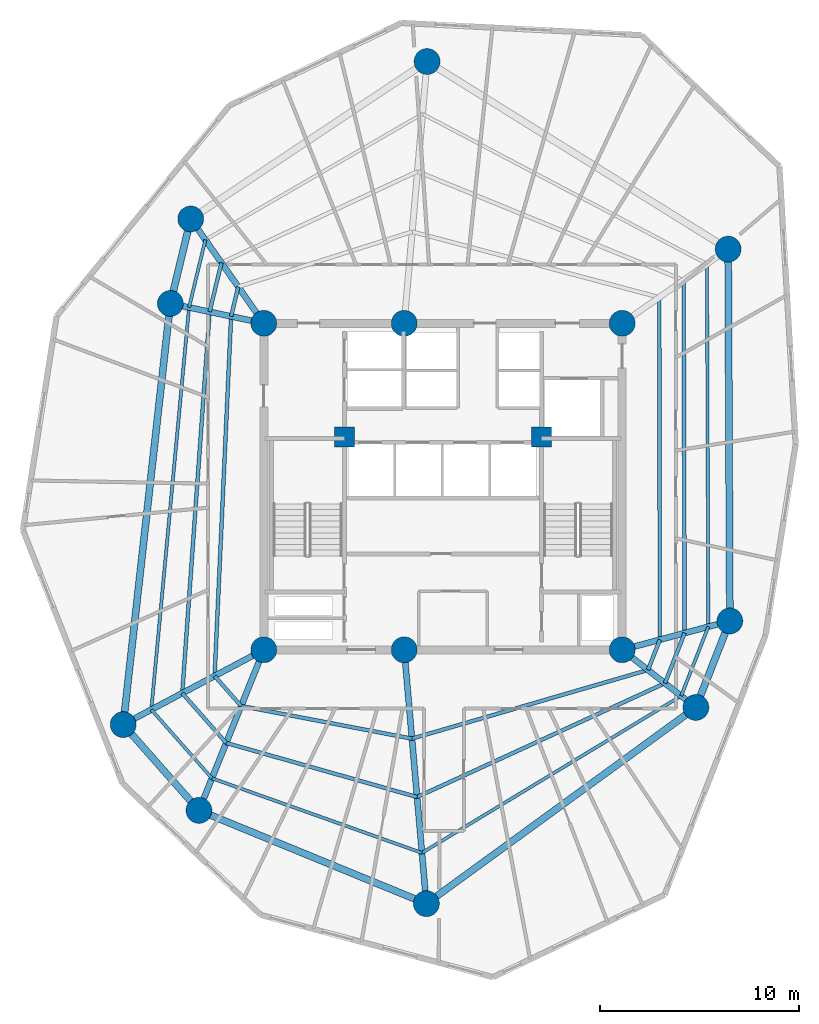
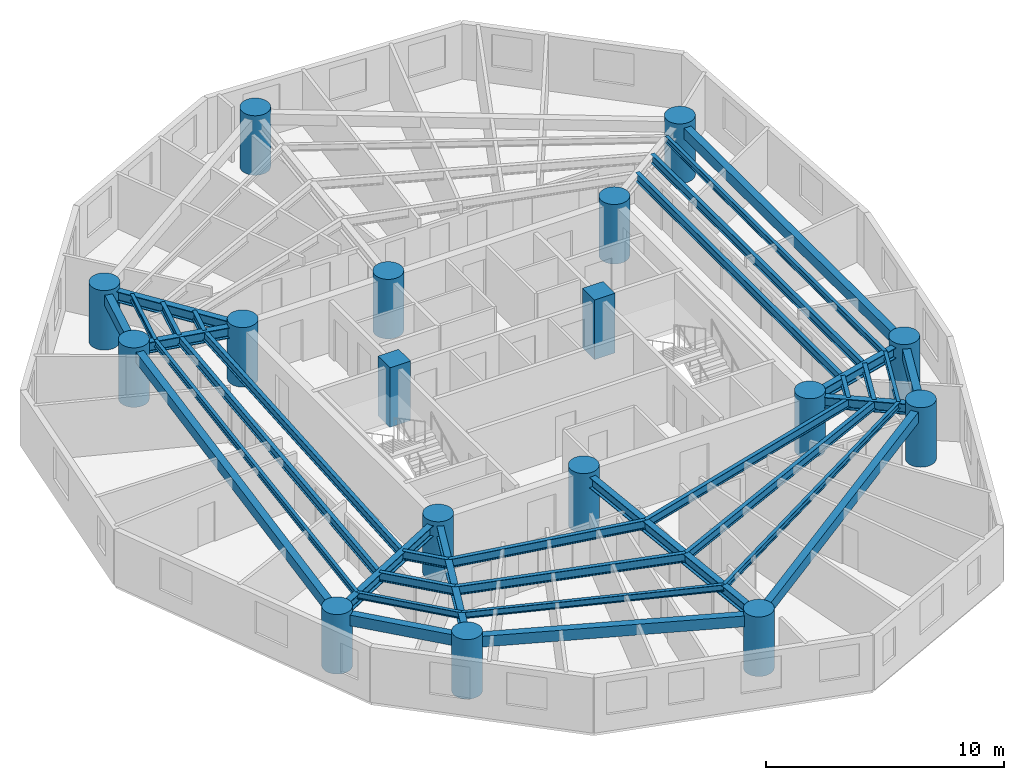
# One storey, part 1 of 8: 35 beams, 17 columns.
"""IFC4 building model written with IfcOpenShell, lengths in metres."""

from ifc_helpers import new_model, si_unit, direction, frame, origin, origin_with_axes, origin_2d, place, context, subcontext, project, spatial, rectangle, circle, i_section, extrude, source, transform, mapped, material, material_profile, profile_set, type_object, element, save


model = new_model("IFC4")

# Units and contexts
model_context = context("Model", 3, precision=1e-05, world=origin(), true_north=direction((0.0, 1.0)))
body_context = subcontext(model_context, "Body", "Model", "MODEL_VIEW")
ifc_project = project(units=[si_unit("LENGTHUNIT", "METRE"), si_unit("AREAUNIT", "SQUARE_METRE"), si_unit("VOLUMEUNIT", "CUBIC_METRE"), si_unit("PLANEANGLEUNIT", "RADIAN"), si_unit("MASSUNIT", "GRAM", prefix="KILO")], contexts=[model_context])

# Site, building, storey
site_placement = place(None, origin())
site = spatial("IfcSite", under=ifc_project, at=site_placement, CompositionType="ELEMENT")
building_placement = place(site_placement, origin())
building = spatial("IfcBuilding", under=site, at=building_placement, Name="Karkom Vertical University and Central Library", CompositionType="ELEMENT")
storey_placement = place(building_placement, frame((0.0, 0.0, 165.699951171875)))
storey = spatial("IfcBuildingStorey", under=building, at=storey_placement, Name="L47", CompositionType="ELEMENT", Elevation=165.699951171875)

# Columns
ifc_material_1 = material(Name="Concrete C50/60", Category="concrete")
ifc_material_profile_1 = material_profile(ifc_material_1, circle(Radius=0.64990234375, at=origin_2d()), Name="CFT-D1300")
ifc_profile_set_1 = profile_set([ifc_material_profile_1], Name="Concrete C50/60")
column_type_1 = type_object("IfcColumnType", Name="STR-COL-C-SC4", PredefinedType="COLUMN", material=ifc_profile_set_1)
shared_shape_1 = source(origin_with_axes(), body_context, "Body", "SweptSolid", [
    extrude(circle(Radius=0.64990234375, at=origin_2d()), origin(), (0.0, 0.0, 1.0), 3.050048828125),
])
for number, where, z_axis, x_axis, name in (
    (1, (19.5, 18.300048828125, 0.0), (0.0, 0.0, 1.0), (1.0, 0.0, 0.0), "Level 47 Spine Mega-Column SC-1"),
    (2, (26.550048828125, 18.300048828125, 0.0), (0.0, 0.0, 1.0), (1.0, 0.0, 0.0), "Level 47 Spine Mega-Column SC-2"),
    (3, (37.5, 18.300048828125, 0.0), (0.0, 0.0, 1.0), (1.0, 0.0, 0.0), "Level 47 Spine Mega-Column SC-3"),
    (4, (19.5, 34.699951171875, 0.0), (0.0, 0.0, 1.0), (1.0, 0.0, 0.0), "Level 47 Spine Mega-Column SC-4"),
    (5, (26.550048828125, 34.699951171875, 0.0), (0.0, 0.0, 1.0), (1.0, 0.0, 0.0), "Level 47 Spine Mega-Column SC-5"),
    (6, (37.5, 34.699951171875, 0.0), (0.0, 0.0, 1.0), (1.0, 0.0, 0.0), "Level 47 Spine Mega-Column SC-6"),
    (7, (42.908935546875, 19.7490234375, 0.0), (0.0, 0.0, 1.0), (1.0, 0.0, 0.0), "Level 47 Perimeter Mega-Column Z3-PC1"),
    (8, (42.823974609375, 38.427978515625, 0.0), (0.0, 0.0, 1.0), (1.0, 0.0, 0.0), "Level 47 Perimeter Mega-Column Z3-PC2"),
    (9, (27.699951171875, 47.85009765625, 0.0), (0.0, 0.0, 1.0), (1.0, 0.0, 0.0), "Level 47 Perimeter Mega-Column Z3-PC3"),
    (10, (15.8291015625, 39.943115234375, 0.0), (0.0, 0.0, 1.0), (1.0, 0.0, 0.0), "Level 47 Perimeter Mega-Column Z3-PC4"),
    (11, (14.804931640625, 35.697998046875, 0.0), (0.0, 0.0, 1.0), (1.0, 0.0, 0.0), "Level 47 Perimeter Mega-Column Z3-PC5"),
    (12, (12.43603515625, 14.5439453125, 0.0), (0.0, 0.0, 1.0), (1.0, 0.0, 0.0), "Level 47 Perimeter Mega-Column Z3-PC6"),
    (13, (16.240966796875, 10.23388671875, 0.0), (0.0, 0.0, 1.0), (1.0, 0.0, 0.0), "Level 47 Perimeter Mega-Column Z3-PC7"),
    (14, (27.666015625, 5.549072265625, 0.0), (0.0, 0.0, 1.0), (1.0, 0.0, 0.0), "Level 47 Perimeter Mega-Column Z3-PC8"),
    (15, (41.2041015625, 15.406005859375, 0.0), (0.0, 0.0, 1.0), (1.0, 0.0, 0.0), "Level 47 Perimeter Mega-Column Z3-PC9"),
):
    element("IfcColumn", number, at=place(storey_placement, frame(where, z_axis=z_axis, x_axis=x_axis)), inside=storey, type_object=column_type_1, Name=name, PredefinedType="COLUMN", context=body_context, shape_type="MappedRepresentation", body=[
        mapped(shared_shape_1, transform((0.0, 0.0, 0.0), scale=1.0)),
    ])
ifc_material_profile_2 = material_profile(ifc_material_1, rectangle(XDim=1.0, YDim=1.0, at=origin_2d()), Name="RC-1000x1000")
ifc_profile_set_2 = profile_set([ifc_material_profile_2], Name="Concrete C50/60")
column_type_2 = type_object("IfcColumnType", Name="STR-COL-C-CC2", PredefinedType="COLUMN", material=ifc_profile_set_2)
shared_shape_2 = source(origin_with_axes(), body_context, "Body", "SweptSolid", [
    extrude(rectangle(XDim=1.0, YDim=1.0, at=origin_2d()), origin(), (0.0, 0.0, 1.0), 3.050048828125),
])
for number, where, z_axis, x_axis, name in (
    (16, (23.550048828125, 29.0, 0.0), (0.0, 0.0, 1.0), (1.0, 0.0, 0.0), "Level 47 Core Node Column CC-1"),
    (17, (33.449951171875, 29.0, 0.0), (0.0, 0.0, 1.0), (1.0, 0.0, 0.0), "Level 47 Core Node Column CC-2"),
):
    element("IfcColumn", number, at=place(storey_placement, frame(where, z_axis=z_axis, x_axis=x_axis)), inside=storey, type_object=column_type_2, Name=name, PredefinedType="COLUMN", context=body_context, shape_type="MappedRepresentation", body=[
        mapped(shared_shape_2, transform((0.0, 0.0, 0.0), scale=1.0)),
    ])

# Beams
ifc_material_2 = material(Name="Precast concrete C45/55", Category="concrete")
ifc_material_profile_3 = material_profile(ifc_material_2, rectangle(XDim=0.35009765625, YDim=0.550048828125, at=origin_2d()), Name="SPB-350x550")
ifc_profile_set_3 = profile_set([ifc_material_profile_3], Name="Precast concrete C45/55")
beam_type_1 = type_object("IfcBeamType", Name="STR-BM-SP-2", PredefinedType="SPANDREL", material=ifc_profile_set_3)
shared_shape_3 = source(origin_with_axes(), body_context, "Body", "SweptSolid", [
    extrude(rectangle(XDim=0.35009765625, YDim=0.550048828125, at=origin_2d()), origin(), (0.0, 0.0, 1.0), 18.67919921875),
])
beam_1_placement = place(storey_placement, frame((42.908935546875, 19.7490234375, 2.550048828125), z_axis=(-0.004548437442, 0.999989655805, 0.0), x_axis=(-0.999989655805, -0.004548437442, 0.0)))
element("IfcBeam", 18, at=beam_1_placement, inside=storey, type_object=beam_type_1, Name="Level 47 Perimeter Spandrel Beam 01", PredefinedType="SPANDREL", context=body_context, shape_type="MappedRepresentation", body=[
    mapped(shared_shape_3, transform((0.0, 0.0, 0.0), scale=1.0)),
])
shared_shape_4 = source(origin_with_axes(), body_context, "Body", "SweptSolid", [
    extrude(rectangle(XDim=0.35009765625, YDim=0.550048828125, at=origin_2d()), origin(), (0.0, 0.0, 1.0), 4.366943359375),
])
beam_2_placement = place(storey_placement, frame((15.8291015625, 39.943115234375, 2.550048828125), z_axis=(-0.234529408772, -0.972109024966, 0.0), x_axis=(0.972109024966, -0.234529408772, 0.0)))
element("IfcBeam", 19, at=beam_2_placement, inside=storey, type_object=beam_type_1, Name="Level 47 Perimeter Spandrel Beam 04", PredefinedType="SPANDREL", context=body_context, shape_type="MappedRepresentation", body=[
    mapped(shared_shape_4, transform((0.0, 0.0, 0.0), scale=1.0)),
])
shared_shape_5 = source(origin_with_axes(), body_context, "Body", "SweptSolid", [
    extrude(rectangle(XDim=0.35009765625, YDim=0.550048828125, at=origin_2d()), origin(), (0.0, 0.0, 1.0), 21.286376953125),
])
beam_3_placement = place(storey_placement, frame((14.804931640625, 35.697998046875, 2.550048828125), z_axis=(-0.111287493264, -0.993788254028, 0.0), x_axis=(0.993788254028, -0.111287493264, 0.0)))
element("IfcBeam", 20, at=beam_3_placement, inside=storey, type_object=beam_type_1, Name="Level 47 Perimeter Spandrel Beam 05", PredefinedType="SPANDREL", context=body_context, shape_type="MappedRepresentation", body=[
    mapped(shared_shape_5, transform((0.0, 0.0, 0.0), scale=1.0)),
])
shared_shape_6 = source(origin_with_axes(), body_context, "Body", "SweptSolid", [
    extrude(rectangle(XDim=0.35009765625, YDim=0.550048828125, at=origin_2d()), origin(), (0.0, 0.0, 1.0), 5.749267578125),
])
beam_4_placement = place(storey_placement, frame((12.43603515625, 14.5439453125, 2.550048828125), z_axis=(0.661811219671, -0.74967053398, 0.0), x_axis=(0.74967053398, 0.661811219671, 0.0)))
element("IfcBeam", 21, at=beam_4_placement, inside=storey, type_object=beam_type_1, Name="Level 47 Perimeter Spandrel Beam 06", PredefinedType="SPANDREL", context=body_context, shape_type="MappedRepresentation", body=[
    mapped(shared_shape_6, transform((0.0, 0.0, 0.0), scale=1.0)),
])
shared_shape_7 = source(origin_with_axes(), body_context, "Body", "SweptSolid", [
    extrude(rectangle(XDim=0.35009765625, YDim=0.550048828125, at=origin_2d()), origin(), (0.0, 0.0, 1.0), 12.34814453125),
])
beam_5_placement = place(storey_placement, frame((16.240966796875, 10.23388671875, 2.550048828125), z_axis=(0.925236428984, -0.37939102583, 0.0), x_axis=(0.37939102583, 0.925236428984, 0.0)))
element("IfcBeam", 22, at=beam_5_placement, inside=storey, type_object=beam_type_1, Name="Level 47 Perimeter Spandrel Beam 07", PredefinedType="SPANDREL", context=body_context, shape_type="MappedRepresentation", body=[
    mapped(shared_shape_7, transform((0.0, 0.0, 0.0), scale=1.0)),
])
shared_shape_8 = source(origin_with_axes(), body_context, "Body", "SweptSolid", [
    extrude(rectangle(XDim=0.35009765625, YDim=0.550048828125, at=origin_2d()), origin(), (0.0, 0.0, 1.0), 16.746337890625),
])
beam_6_placement = place(storey_placement, frame((27.666015625, 5.549072265625, 2.550048828125), z_axis=(0.808422013284, 0.588603303115, 0.0), x_axis=(-0.588603303115, 0.808422013284, 0.0)))
element("IfcBeam", 23, at=beam_6_placement, inside=storey, type_object=beam_type_1, Name="Level 47 Perimeter Spandrel Beam 08", PredefinedType="SPANDREL", context=body_context, shape_type="MappedRepresentation", body=[
    mapped(shared_shape_8, transform((0.0, 0.0, 0.0), scale=1.0)),
])
shared_shape_9 = source(origin_with_axes(), body_context, "Body", "SweptSolid", [
    extrude(rectangle(XDim=0.35009765625, YDim=0.550048828125, at=origin_2d()), origin(), (0.0, 0.0, 1.0), 4.66552734375),
])
beam_7_placement = place(storey_placement, frame((41.2041015625, 15.406005859375, 2.550048828125), z_axis=(0.365401419454, 0.930850043058, 0.0), x_axis=(-0.930850043058, 0.365401419454, 0.0)))
element("IfcBeam", 24, at=beam_7_placement, inside=storey, type_object=beam_type_1, Name="Level 47 Perimeter Spandrel Beam 09", PredefinedType="SPANDREL", context=body_context, shape_type="MappedRepresentation", body=[
    mapped(shared_shape_9, transform((0.0, 0.0, 0.0), scale=1.0)),
])
ifc_material_3 = material(Name="Steel S355", Category="steel")
ifc_material_profile_4 = material_profile(ifc_material_3, i_section(OverallWidth=0.18994140625, OverallDepth=0.449951171875, WebThickness=0.009521484375, FlangeThickness=0.0146484375, FilletRadius=0.02099609375, at=origin_2d()), Name="IPE 450")
ifc_profile_set_4 = profile_set([ifc_material_profile_4], Name="Steel S355")
beam_type_2 = type_object("IfcBeamType", Name="STR-BM-SB-IPE450", PredefinedType="BEAM", material=ifc_profile_set_4)
shared_shape_10 = source(origin_with_axes(), body_context, "Body", "SweptSolid", [
    extrude(i_section(OverallWidth=0.18994140625, OverallDepth=0.449951171875, WebThickness=0.009521484375, FlangeThickness=0.0146484375, FilletRadius=0.02099609375, at=origin_2d()), origin(), (0.0, 0.0, 1.0), 17.19775390625),
])
beam_8_placement = place(storey_placement, frame((39.39306640625, 18.80712890625, 2.60009765625), z_axis=(-0.001731918699, 0.999998500228, 0.0), x_axis=(-0.999998500228, -0.001731918699, 0.0)))
element("IfcBeam", 25, at=beam_8_placement, inside=storey, type_object=beam_type_2, Name="Level 47 Secondary Composite Floor Beam 1.01", PredefinedType="BEAM", context=body_context, shape_type="MappedRepresentation", body=[
    mapped(shared_shape_10, transform((0.0, 0.0, 0.0), scale=1.0)),
])
shared_shape_11 = source(origin_with_axes(), body_context, "Body", "SweptSolid", [
    extrude(i_section(OverallWidth=0.18994140625, OverallDepth=0.449951171875, WebThickness=0.009521484375, FlangeThickness=0.0146484375, FilletRadius=0.02099609375, at=origin_2d()), origin(), (0.0, 0.0, 1.0), 1.5283203125),
])
beam_9_placement = place(storey_placement, frame((18.215087890625, 36.534912109375, 2.60009765625), z_axis=(-0.234520804587, -0.972111100757, 0.0), x_axis=(0.972111100757, -0.234520804587, 0.0)))
element("IfcBeam", 26, at=beam_9_placement, inside=storey, type_object=beam_type_2, Name="Level 47 Secondary Composite Floor Beam 1.04", PredefinedType="BEAM", context=body_context, shape_type="MappedRepresentation", body=[
    mapped(shared_shape_11, transform((0.0, 0.0, 0.0), scale=1.0)),
])
shared_shape_12 = source(origin_with_axes(), body_context, "Body", "SweptSolid", [
    extrude(i_section(OverallWidth=0.18994140625, OverallDepth=0.449951171875, WebThickness=0.009521484375, FlangeThickness=0.0146484375, FilletRadius=0.02099609375, at=origin_2d()), origin(), (0.0, 0.0, 1.0), 18.0830078125),
])
beam_10_placement = place(storey_placement, frame((17.856689453125, 35.04931640625, 2.60009765625), z_axis=(-0.04584982532, -0.998948343769, 0.0), x_axis=(0.998948343769, -0.04584982532, 0.0)))
element("IfcBeam", 27, at=beam_10_placement, inside=storey, type_object=beam_type_2, Name="Level 47 Secondary Composite Floor Beam 1.05", PredefinedType="BEAM", context=body_context, shape_type="MappedRepresentation", body=[
    mapped(shared_shape_12, transform((0.0, 0.0, 0.0), scale=1.0)),
])
shared_shape_13 = source(origin_with_axes(), body_context, "Body", "SweptSolid", [
    extrude(i_section(OverallWidth=0.18994140625, OverallDepth=0.449951171875, WebThickness=0.009521484375, FlangeThickness=0.0146484375, FilletRadius=0.02099609375, at=origin_2d()), origin(), (0.0, 0.0, 1.0), 2.01220703125),
])
beam_11_placement = place(storey_placement, frame((17.027587890625, 16.9853515625, 2.60009765625), z_axis=(0.661822246424, -0.749660799387, 0.0), x_axis=(0.749660799387, 0.661822246424, 0.0)))
element("IfcBeam", 28, at=beam_11_placement, inside=storey, type_object=beam_type_2, Name="Level 47 Secondary Composite Floor Beam 1.06", PredefinedType="BEAM", context=body_context, shape_type="MappedRepresentation", body=[
    mapped(shared_shape_13, transform((0.0, 0.0, 0.0), scale=1.0)),
])
shared_shape_14 = source(origin_with_axes(), body_context, "Body", "SweptSolid", [
    extrude(i_section(OverallWidth=0.18994140625, OverallDepth=0.449951171875, WebThickness=0.009521484375, FlangeThickness=0.0146484375, FilletRadius=0.02099609375, at=origin_2d()), origin(), (0.0, 0.0, 1.0), 8.736572265625),
])
beam_12_placement = place(storey_placement, frame((18.359375, 15.476806640625, 2.60009765625), z_axis=(0.982230782932, -0.187677087205, 0.0), x_axis=(0.187677087205, 0.982230782932, 0.0)))
element("IfcBeam", 29, at=beam_12_placement, inside=storey, type_object=beam_type_2, Name="Level 47 Secondary Composite Floor Beam 1.07", PredefinedType="BEAM", context=body_context, shape_type="MappedRepresentation", body=[
    mapped(shared_shape_14, transform((0.0, 0.0, 0.0), scale=1.0)),
])
shared_shape_15 = source(origin_with_axes(), body_context, "Body", "SweptSolid", [
    extrude(i_section(OverallWidth=0.18994140625, OverallDepth=0.449951171875, WebThickness=0.009521484375, FlangeThickness=0.0146484375, FilletRadius=0.02099609375, at=origin_2d()), origin(), (0.0, 0.0, 1.0), 12.347412109375),
])
beam_13_placement = place(storey_placement, frame((26.940673828125, 13.837158203125, 2.60009765625), z_axis=(0.960173212987, 0.279405442077, 0.0), x_axis=(-0.279405442077, 0.960173212987, 0.0)))
element("IfcBeam", 30, at=beam_13_placement, inside=storey, type_object=beam_type_2, Name="Level 47 Secondary Composite Floor Beam 1.08", PredefinedType="BEAM", context=body_context, shape_type="MappedRepresentation", body=[
    mapped(shared_shape_15, transform((0.0, 0.0, 0.0), scale=1.0)),
])
shared_shape_16 = source(origin_with_axes(), body_context, "Body", "SweptSolid", [
    extrude(i_section(OverallWidth=0.18994140625, OverallDepth=0.449951171875, WebThickness=0.009521484375, FlangeThickness=0.0146484375, FilletRadius=0.02099609375, at=origin_2d()), origin(), (0.0, 0.0, 1.0), 1.633056640625),
])
beam_14_placement = place(storey_placement, frame((38.79638671875, 17.287109375, 2.60009765625), z_axis=(0.365402570083, 0.930849591382, 0.0), x_axis=(-0.930849591382, 0.365402570083, 0.0)))
element("IfcBeam", 31, at=beam_14_placement, inside=storey, type_object=beam_type_2, Name="Level 47 Secondary Composite Floor Beam 1.09", PredefinedType="BEAM", context=body_context, shape_type="MappedRepresentation", body=[
    mapped(shared_shape_16, transform((0.0, 0.0, 0.0), scale=1.0)),
])
shared_shape_17 = source(origin_with_axes(), body_context, "Body", "SweptSolid", [
    extrude(i_section(OverallWidth=0.18994140625, OverallDepth=0.449951171875, WebThickness=0.009521484375, FlangeThickness=0.0146484375, FilletRadius=0.02099609375, at=origin_2d()), origin(), (0.0, 0.0, 1.0), 17.721923828125),
])
beam_15_placement = place(storey_placement, frame((40.63720703125, 19.140380859375, 2.60009765625), z_axis=(-0.002782780006, 0.99999612806, 0.0), x_axis=(-0.99999612806, -0.002782780006, 0.0)))
element("IfcBeam", 32, at=beam_15_placement, inside=storey, type_object=beam_type_2, Name="Level 47 Secondary Composite Floor Beam 2.01", PredefinedType="BEAM", context=body_context, shape_type="MappedRepresentation", body=[
    mapped(shared_shape_17, transform((0.0, 0.0, 0.0), scale=1.0)),
])
shared_shape_18 = source(origin_with_axes(), body_context, "Body", "SweptSolid", [
    extrude(i_section(OverallWidth=0.18994140625, OverallDepth=0.449951171875, WebThickness=0.009521484375, FlangeThickness=0.0146484375, FilletRadius=0.02099609375, at=origin_2d()), origin(), (0.0, 0.0, 1.0), 2.53271484375),
])
beam_16_placement = place(storey_placement, frame((17.370849609375, 37.740966796875, 2.60009765625), z_axis=(-0.234521178828, -0.972111010472, 0.0), x_axis=(0.972111010472, -0.234521178828, 0.0)))
element("IfcBeam", 33, at=beam_16_placement, inside=storey, type_object=beam_type_2, Name="Level 47 Secondary Composite Floor Beam 2.04", PredefinedType="BEAM", context=body_context, shape_type="MappedRepresentation", body=[
    mapped(shared_shape_18, transform((0.0, 0.0, 0.0), scale=1.0)),
])
shared_shape_19 = source(origin_with_axes(), body_context, "Body", "SweptSolid", [
    extrude(i_section(OverallWidth=0.18994140625, OverallDepth=0.449951171875, WebThickness=0.009521484375, FlangeThickness=0.0146484375, FilletRadius=0.02099609375, at=origin_2d()), origin(), (0.0, 0.0, 1.0), 19.20654296875),
])
beam_17_placement = place(storey_placement, frame((16.77685546875, 35.27880859375, 2.60009765625), z_axis=(-0.071539731632, -0.997437750839, 0.0), x_axis=(0.997437750839, -0.071539731632, 0.0)))
element("IfcBeam", 34, at=beam_17_placement, inside=storey, type_object=beam_type_2, Name="Level 47 Secondary Composite Floor Beam 2.05", PredefinedType="BEAM", context=body_context, shape_type="MappedRepresentation", body=[
    mapped(shared_shape_19, transform((0.0, 0.0, 0.0), scale=1.0)),
])
shared_shape_20 = source(origin_with_axes(), body_context, "Body", "SweptSolid", [
    extrude(i_section(OverallWidth=0.18994140625, OverallDepth=0.449951171875, WebThickness=0.009521484375, FlangeThickness=0.0146484375, FilletRadius=0.02099609375, at=origin_2d()), origin(), (0.0, 0.0, 1.0), 3.334716796875),
])
beam_18_placement = place(storey_placement, frame((15.40283203125, 16.12158203125, 2.60009765625), z_axis=(0.661815321502, -0.749666912852, 0.0), x_axis=(0.749666912852, 0.661815321502, 0.0)))
element("IfcBeam", 35, at=beam_18_placement, inside=storey, type_object=beam_type_2, Name="Level 47 Secondary Composite Floor Beam 2.06", PredefinedType="BEAM", context=body_context, shape_type="MappedRepresentation", body=[
    mapped(shared_shape_20, transform((0.0, 0.0, 0.0), scale=1.0)),
])
shared_shape_21 = source(origin_with_axes(), body_context, "Body", "SweptSolid", [
    extrude(i_section(OverallWidth=0.18994140625, OverallDepth=0.449951171875, WebThickness=0.009521484375, FlangeThickness=0.0146484375, FilletRadius=0.02099609375, at=origin_2d()), origin(), (0.0, 0.0, 1.0), 9.965087890625),
])
beam_19_placement = place(storey_placement, frame((17.60986328125, 13.62158203125, 2.60009765625), z_axis=(0.962104232935, -0.272681948372, 0.0), x_axis=(0.272681948372, 0.962104232935, 0.0)))
element("IfcBeam", 36, at=beam_19_placement, inside=storey, type_object=beam_type_2, Name="Level 47 Secondary Composite Floor Beam 2.07", PredefinedType="BEAM", context=body_context, shape_type="MappedRepresentation", body=[
    mapped(shared_shape_21, transform((0.0, 0.0, 0.0), scale=1.0)),
])
shared_shape_22 = source(origin_with_axes(), body_context, "Body", "SweptSolid", [
    extrude(i_section(OverallWidth=0.18994140625, OverallDepth=0.449951171875, WebThickness=0.009521484375, FlangeThickness=0.0146484375, FilletRadius=0.02099609375, at=origin_2d()), origin(), (0.0, 0.0, 1.0), 13.700927734375),
])
beam_20_placement = place(storey_placement, frame((27.197265625, 10.904296875, 2.60009765625), z_axis=(0.908771280691, 0.417294571486, 0.0), x_axis=(-0.417294571486, 0.908771280691, 0.0)))
element("IfcBeam", 37, at=beam_20_placement, inside=storey, type_object=beam_type_2, Name="Level 47 Secondary Composite Floor Beam 2.08", PredefinedType="BEAM", context=body_context, shape_type="MappedRepresentation", body=[
    mapped(shared_shape_22, transform((0.0, 0.0, 0.0), scale=1.0)),
])
shared_shape_23 = source(origin_with_axes(), body_context, "Body", "SweptSolid", [
    extrude(i_section(OverallWidth=0.18994140625, OverallDepth=0.449951171875, WebThickness=0.009521484375, FlangeThickness=0.0146484375, FilletRadius=0.02099609375, at=origin_2d()), origin(), (0.0, 0.0, 1.0), 2.7060546875),
])
beam_21_placement = place(storey_placement, frame((39.648193359375, 16.62158203125, 2.60009765625), z_axis=(0.365487674906, 0.930816179217, 0.0), x_axis=(-0.930816179217, 0.365487674906, 0.0)))
element("IfcBeam", 38, at=beam_21_placement, inside=storey, type_object=beam_type_2, Name="Level 47 Secondary Composite Floor Beam 2.09", PredefinedType="BEAM", context=body_context, shape_type="MappedRepresentation", body=[
    mapped(shared_shape_23, transform((0.0, 0.0, 0.0), scale=1.0)),
])
ifc_material_profile_5 = material_profile(ifc_material_3, i_section(OverallWidth=0.159912109375, OverallDepth=0.330078125, WebThickness=0.007568359375, FlangeThickness=0.011474609375, FilletRadius=0.01806640625, at=origin_2d()), Name="IPE 330")
ifc_profile_set_5 = profile_set([ifc_material_profile_5], Name="Steel S355")
beam_type_3 = type_object("IfcBeamType", Name="STR-BM-SB-IPE330", PredefinedType="BEAM", material=ifc_profile_set_5)
shared_shape_24 = source(origin_with_axes(), body_context, "Body", "SweptSolid", [
    extrude(i_section(OverallWidth=0.159912109375, OverallDepth=0.330078125, WebThickness=0.007568359375, FlangeThickness=0.011474609375, FilletRadius=0.01806640625, at=origin_2d()), origin(), (0.0, 0.0, 1.0), 18.223388671875),
])
beam_22_placement = place(storey_placement, frame((41.8271484375, 19.459228515625, 2.66015625), z_axis=(-0.003724418851, 0.999993064328, 0.0), x_axis=(-0.999993064328, -0.003724418851, 0.0)))
element("IfcBeam", 39, at=beam_22_placement, inside=storey, type_object=beam_type_3, Name="Level 47 Secondary Composite Floor Beam 3.01", PredefinedType="BEAM", context=body_context, shape_type="MappedRepresentation", body=[
    mapped(shared_shape_24, transform((0.0, 0.0, 0.0), scale=1.0)),
])
shared_shape_25 = source(origin_with_axes(), body_context, "Body", "SweptSolid", [
    extrude(i_section(OverallWidth=0.159912109375, OverallDepth=0.330078125, WebThickness=0.007568359375, FlangeThickness=0.011474609375, FilletRadius=0.01806640625, at=origin_2d()), origin(), (0.0, 0.0, 1.0), 3.493408203125),
])
beam_23_placement = place(storey_placement, frame((16.563232421875, 38.894287109375, 2.66015625), z_axis=(-0.234535781995, -0.972107487351, 0.0), x_axis=(0.972107487351, -0.234535781995, 0.0)))
element("IfcBeam", 40, at=beam_23_placement, inside=storey, type_object=beam_type_3, Name="Level 47 Secondary Composite Floor Beam 3.04", PredefinedType="BEAM", context=body_context, shape_type="MappedRepresentation", body=[
    mapped(shared_shape_25, transform((0.0, 0.0, 0.0), scale=1.0)),
])
shared_shape_26 = source(origin_with_axes(), body_context, "Body", "SweptSolid", [
    extrude(i_section(OverallWidth=0.159912109375, OverallDepth=0.330078125, WebThickness=0.007568359375, FlangeThickness=0.011474609375, FilletRadius=0.01806640625, at=origin_2d()), origin(), (0.0, 0.0, 1.0), 20.291748046875),
])
beam_24_placement = place(storey_placement, frame((15.743896484375, 35.498291015625, 2.66015625), z_axis=(-0.093388415244, -0.995629752417, 0.0), x_axis=(0.995629752417, -0.093388415244, 0.0)))
element("IfcBeam", 41, at=beam_24_placement, inside=storey, type_object=beam_type_3, Name="Level 47 Secondary Composite Floor Beam 3.05", PredefinedType="BEAM", context=body_context, shape_type="MappedRepresentation", body=[
    mapped(shared_shape_26, transform((0.0, 0.0, 0.0), scale=1.0)),
])
shared_shape_27 = source(origin_with_axes(), body_context, "Body", "SweptSolid", [
    extrude(i_section(OverallWidth=0.159912109375, OverallDepth=0.330078125, WebThickness=0.007568359375, FlangeThickness=0.011474609375, FilletRadius=0.01806640625, at=origin_2d()), origin(), (0.0, 0.0, 1.0), 4.599365234375),
])
beam_25_placement = place(storey_placement, frame((13.848876953125, 15.295166015625, 2.66015625), z_axis=(0.661816486801, -0.74966588411, 0.0), x_axis=(0.74966588411, 0.661816486801, 0.0)))
element("IfcBeam", 42, at=beam_25_placement, inside=storey, type_object=beam_type_3, Name="Level 47 Secondary Composite Floor Beam 3.06", PredefinedType="BEAM", context=body_context, shape_type="MappedRepresentation", body=[
    mapped(shared_shape_27, transform((0.0, 0.0, 0.0), scale=1.0)),
])
shared_shape_28 = source(origin_with_axes(), body_context, "Body", "SweptSolid", [
    extrude(i_section(OverallWidth=0.159912109375, OverallDepth=0.330078125, WebThickness=0.007568359375, FlangeThickness=0.011474609375, FilletRadius=0.01806640625, at=origin_2d()), origin(), (0.0, 0.0, 1.0), 11.196044921875),
])
beam_26_placement = place(storey_placement, frame((16.892822265625, 11.84716796875, 2.66015625), z_axis=(0.942301538336, -0.334765307119, 0.0), x_axis=(0.334765307119, 0.942301538336, 0.0)))
element("IfcBeam", 43, at=beam_26_placement, inside=storey, type_object=beam_type_3, Name="Level 47 Secondary Composite Floor Beam 3.07", PredefinedType="BEAM", context=body_context, shape_type="MappedRepresentation", body=[
    mapped(shared_shape_28, transform((0.0, 0.0, 0.0), scale=1.0)),
])
shared_shape_29 = source(origin_with_axes(), body_context, "Body", "SweptSolid", [
    extrude(i_section(OverallWidth=0.159912109375, OverallDepth=0.330078125, WebThickness=0.007568359375, FlangeThickness=0.011474609375, FilletRadius=0.01806640625, at=origin_2d()), origin(), (0.0, 0.0, 1.0), 15.22216796875),
])
beam_27_placement = place(storey_placement, frame((27.44287109375, 8.09912109375, 2.66015625), z_axis=(0.855352900974, 0.518045765155, 0.0), x_axis=(-0.518045765155, 0.855352900974, 0.0)))
element("IfcBeam", 44, at=beam_27_placement, inside=storey, type_object=beam_type_3, Name="Level 47 Secondary Composite Floor Beam 3.08", PredefinedType="BEAM", context=body_context, shape_type="MappedRepresentation", body=[
    mapped(shared_shape_29, transform((0.0, 0.0, 0.0), scale=1.0)),
])
shared_shape_30 = source(origin_with_axes(), body_context, "Body", "SweptSolid", [
    extrude(i_section(OverallWidth=0.159912109375, OverallDepth=0.330078125, WebThickness=0.007568359375, FlangeThickness=0.011474609375, FilletRadius=0.01806640625, at=origin_2d()), origin(), (0.0, 0.0, 1.0), 3.732421875),
])
beam_28_placement = place(storey_placement, frame((40.463134765625, 15.98486328125, 2.66015625), z_axis=(0.365439874109, 0.930834946922, 0.0), x_axis=(-0.930834946922, 0.365439874109, 0.0)))
element("IfcBeam", 45, at=beam_28_placement, inside=storey, type_object=beam_type_3, Name="Level 47 Secondary Composite Floor Beam 3.09", PredefinedType="BEAM", context=body_context, shape_type="MappedRepresentation", body=[
    mapped(shared_shape_30, transform((0.0, 0.0, 0.0), scale=1.0)),
])
ifc_material_profile_6 = material_profile(ifc_material_3, i_section(OverallWidth=0.300048828125, OverallDepth=0.550048828125, WebThickness=0.014892578125, FlangeThickness=0.029052734375, FilletRadius=0.027099609375, at=origin_2d()), Name="HE 550 B")
ifc_profile_set_6 = profile_set([ifc_material_profile_6], Name="Steel S355")
beam_type_4 = type_object("IfcBeamType", Name="STR-BM-SB-HE550", PredefinedType="USERDEFINED", material=ifc_profile_set_6)
shared_shape_31 = source(origin_with_axes(), body_context, "Body", "SweptSolid", [
    extrude(i_section(OverallWidth=0.300048828125, OverallDepth=0.550048828125, WebThickness=0.014892578125, FlangeThickness=0.029052734375, FilletRadius=0.027099609375, at=origin_2d()), origin(), (0.0, 0.0, 1.0), 5.599609375),
])
beam_29_placement = place(storey_placement, frame((37.5, 18.300048828125, 2.550048828125), z_axis=(0.965941240814, 0.258761510459, 0.0), x_axis=(-0.258761510459, 0.965941240814, 0.0)))
element("IfcBeam", 46, at=beam_29_placement, inside=storey, type_object=beam_type_4, Name="Level 47 Radial Frame Girder 01", ObjectType="GIRDER", PredefinedType="USERDEFINED", context=body_context, shape_type="MappedRepresentation", body=[
    mapped(shared_shape_31, transform((0.0, 0.0, 0.0), scale=1.0)),
])
shared_shape_32 = source(origin_with_axes(), body_context, "Body", "SweptSolid", [
    extrude(i_section(OverallWidth=0.300048828125, OverallDepth=0.550048828125, WebThickness=0.014892578125, FlangeThickness=0.029052734375, FilletRadius=0.027099609375, at=origin_2d()), origin(), (0.0, 0.0, 1.0), 6.400390625),
])
beam_30_placement = place(storey_placement, frame((19.5, 34.699951171875, 2.550048828125), z_axis=(-0.573534022273, 0.81918174131, 0.0), x_axis=(-0.81918174131, -0.573534022273, 0.0)))
element("IfcBeam", 47, at=beam_30_placement, inside=storey, type_object=beam_type_4, Name="Level 47 Radial Frame Girder 04", ObjectType="GIRDER", PredefinedType="USERDEFINED", context=body_context, shape_type="MappedRepresentation", body=[
    mapped(shared_shape_32, transform((0.0, 0.0, 0.0), scale=1.0)),
])
shared_shape_33 = source(origin_with_axes(), body_context, "Body", "SweptSolid", [
    extrude(i_section(OverallWidth=0.300048828125, OverallDepth=0.550048828125, WebThickness=0.014892578125, FlangeThickness=0.029052734375, FilletRadius=0.027099609375, at=origin_2d()), origin(), (0.0, 0.0, 1.0), 4.800048828125),
])
beam_31_placement = place(storey_placement, frame((19.5, 34.699951171875, 2.550048828125), z_axis=(-0.978144241295, 0.207927495108, 0.0), x_axis=(-0.207927495108, -0.978144241295, 0.0)))
element("IfcBeam", 48, at=beam_31_placement, inside=storey, type_object=beam_type_4, Name="Level 47 Radial Frame Girder 05", ObjectType="GIRDER", PredefinedType="USERDEFINED", context=body_context, shape_type="MappedRepresentation", body=[
    mapped(shared_shape_33, transform((0.0, 0.0, 0.0), scale=1.0)),
])
shared_shape_34 = source(origin_with_axes(), body_context, "Body", "SweptSolid", [
    extrude(i_section(OverallWidth=0.300048828125, OverallDepth=0.550048828125, WebThickness=0.014892578125, FlangeThickness=0.029052734375, FilletRadius=0.027099609375, at=origin_2d()), origin(), (0.0, 0.0, 1.0), 8.00048828125),
])
beam_32_placement = place(storey_placement, frame((19.5, 18.300048828125, 2.550048828125), z_axis=(-0.882941023922, -0.46948391695, 0.0), x_axis=(0.46948391695, -0.882941023922, 0.0)))
element("IfcBeam", 49, at=beam_32_placement, inside=storey, type_object=beam_type_4, Name="Level 47 Radial Frame Girder 06", ObjectType="GIRDER", PredefinedType="USERDEFINED", context=body_context, shape_type="MappedRepresentation", body=[
    mapped(shared_shape_34, transform((0.0, 0.0, 0.0), scale=1.0)),
])
shared_shape_35 = source(origin_with_axes(), body_context, "Body", "SweptSolid", [
    extrude(i_section(OverallWidth=0.300048828125, OverallDepth=0.550048828125, WebThickness=0.014892578125, FlangeThickness=0.029052734375, FilletRadius=0.027099609375, at=origin_2d()), origin(), (0.0, 0.0, 1.0), 8.69970703125),
])
beam_33_placement = place(storey_placement, frame((19.5, 18.300048828125, 2.550048828125), z_axis=(-0.374615701214, -0.927180174725, 0.0), x_axis=(0.927180174725, -0.374615701214, 0.0)))
element("IfcBeam", 50, at=beam_33_placement, inside=storey, type_object=beam_type_4, Name="Level 47 Radial Frame Girder 07", ObjectType="GIRDER", PredefinedType="USERDEFINED", context=body_context, shape_type="MappedRepresentation", body=[
    mapped(shared_shape_35, transform((0.0, 0.0, 0.0), scale=1.0)),
])
shared_shape_36 = source(origin_with_axes(), body_context, "Body", "SweptSolid", [
    extrude(i_section(OverallWidth=0.300048828125, OverallDepth=0.550048828125, WebThickness=0.014892578125, FlangeThickness=0.029052734375, FilletRadius=0.027099609375, at=origin_2d()), origin(), (0.0, 0.0, 1.0), 12.7998046875),
])
beam_34_placement = place(storey_placement, frame((26.550048828125, 18.300048828125, 2.550048828125), z_axis=(0.087186825694, -0.996191978198, 0.0), x_axis=(0.996191978198, 0.087186825694, 0.0)))
element("IfcBeam", 51, at=beam_34_placement, inside=storey, type_object=beam_type_4, Name="Level 47 Radial Frame Girder 08", ObjectType="GIRDER", PredefinedType="USERDEFINED", context=body_context, shape_type="MappedRepresentation", body=[
    mapped(shared_shape_36, transform((0.0, 0.0, 0.0), scale=1.0)),
])
shared_shape_37 = source(origin_with_axes(), body_context, "Body", "SweptSolid", [
    extrude(i_section(OverallWidth=0.300048828125, OverallDepth=0.550048828125, WebThickness=0.014892578125, FlangeThickness=0.029052734375, FilletRadius=0.027099609375, at=origin_2d()), origin(), (0.0, 0.0, 1.0), 4.70068359375),
])
beam_35_placement = place(storey_placement, frame((37.5, 18.300048828125, 2.550048828125), z_axis=(0.788002325582, -0.615672262553, 0.0), x_axis=(0.615672262553, 0.788002325582, 0.0)))
element("IfcBeam", 52, at=beam_35_placement, inside=storey, type_object=beam_type_4, Name="Level 47 Radial Frame Girder 09", ObjectType="GIRDER", PredefinedType="USERDEFINED", context=body_context, shape_type="MappedRepresentation", body=[
    mapped(shared_shape_37, transform((0.0, 0.0, 0.0), scale=1.0)),
])

save(model, "model.ifc")
